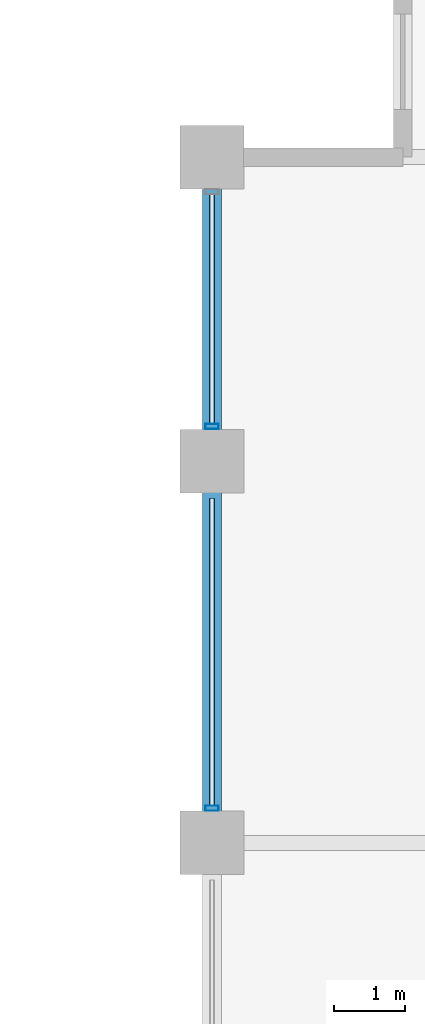
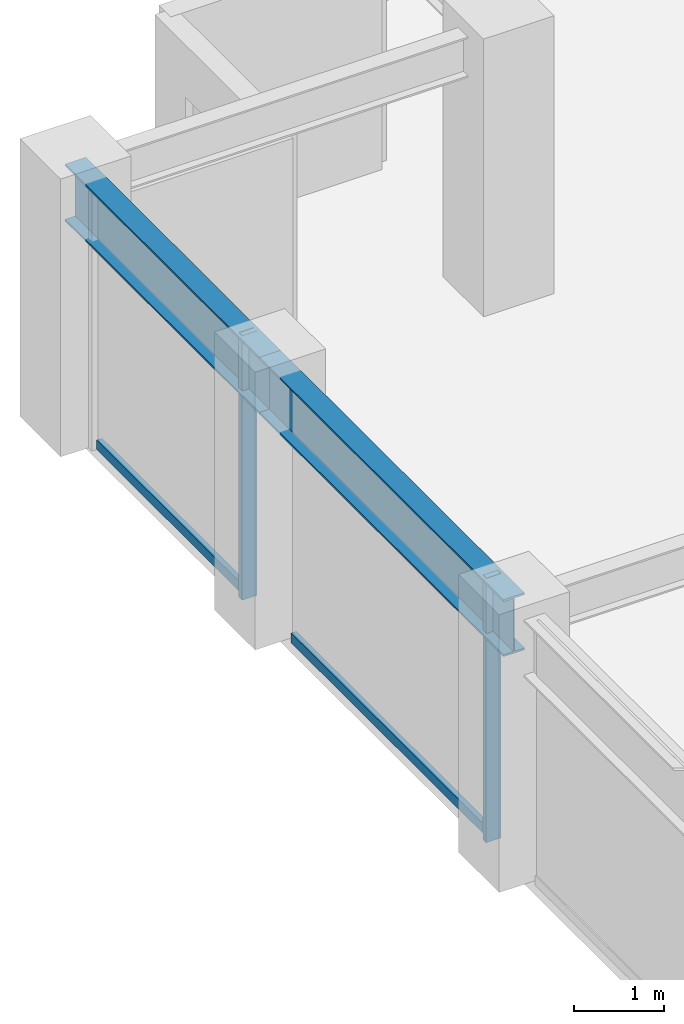
# One storey, part 13 of 28: 4 members, 2 beams, 1 element without a shape of its own.
"""IFC4 building model written with IfcOpenShell, lengths in metres."""

from ifc_helpers import new_model, si_unit, direction, frame, origin, origin_2d, place, context, subcontext, project, spatial, hollow_rectangle, i_section, extrude, material, layer, layer_set, material_profile, profile_set, type_object, element, aggregate, save


model = new_model("IFC4")

# Units and contexts
model_context = context("Model", 3, precision=1e-05, world=origin(), true_north=direction((0.0, 1.0)))
body_context = subcontext(model_context, "Body", "Model", "MODEL_VIEW")
ifc_project = project(units=[si_unit("LENGTHUNIT", "METRE"), si_unit("AREAUNIT", "SQUARE_METRE"), si_unit("VOLUMEUNIT", "CUBIC_METRE"), si_unit("PLANEANGLEUNIT", "RADIAN"), si_unit("MASSUNIT", "GRAM", prefix="KILO")], contexts=[model_context])

# Site, building, storey
site_placement = place(None, origin())
site = spatial("IfcSite", under=ifc_project, at=site_placement, CompositionType="ELEMENT")
building_placement = place(site_placement, origin())
building = spatial("IfcBuilding", under=site, at=building_placement, Name="Surkhivell Harbour Commons", CompositionType="ELEMENT")
storey_placement = place(building_placement, frame((0.0, 0.0, 178.5)))
storey = spatial("IfcBuildingStorey", under=building, at=storey_placement, Name="L46", CompositionType="ELEMENT", Elevation=178.5)

# Beams
ifc_material_1 = material(Name="Steel S355", Category="steel")
ifc_material_profile_1 = material_profile(ifc_material_1, i_section(OverallWidth=0.26806640625, OverallDepth=0.77001953125, WebThickness=0.015625, FlangeThickness=0.025390625, at=origin_2d()), Name="UB762x267x197")
ifc_profile_set_1 = profile_set([ifc_material_profile_1], Name="Steel S355")
beam_type = type_object("IfcBeamType", Name="BM-SPN-762", PredefinedType="SPANDREL", material=ifc_profile_set_1)
beam_1_placement = place(storey_placement, frame((-27.0, 10.800048828125, 3.18505859375), z_axis=(0.0, 1.0, 0.0), x_axis=(-1.0, 0.0, 0.0)))
element("IfcBeam", 1, at=beam_1_placement, inside=storey, type_object=beam_type, Name="L46 Tube Spandrel (-27.0,10.8)", PredefinedType="SPANDREL", context=body_context, shape_type="SweptSolid", body=[
    extrude(i_section(OverallWidth=0.26806640625, OverallDepth=0.77001953125, WebThickness=0.015625, FlangeThickness=0.025390625, at=origin_2d()), origin(), (0.0, 0.0, 1.0), 5.39990234375),
])
beam_2_placement = place(storey_placement, frame((-27.0, 16.199951171875, 3.18505859375), z_axis=(0.0, 1.0, 0.0), x_axis=(-1.0, 0.0, 0.0)))
element("IfcBeam", 2, at=beam_2_placement, inside=storey, type_object=beam_type, Name="L46 Tube Spandrel (-27.0,16.2)", PredefinedType="SPANDREL", context=body_context, shape_type="SweptSolid", body=[
    extrude(i_section(OverallWidth=0.26806640625, OverallDepth=0.77001953125, WebThickness=0.015625, FlangeThickness=0.025390625, at=origin_2d()), origin(), (0.0, 0.0, 1.0), 4.300048828125),
])

# Curtain wall, members
ifc_material_2 = material(Name="Anodised pale-metal aluminium and insulated glazing", Category="aluminium")
ifc_layer = layer(ifc_material_2, 0.18994140625)
ifc_layer_set = layer_set([ifc_layer], Name="Anodised pale-metal aluminium and insulated glazing")
curtain_wall_type = type_object("IfcCurtainWallType", Name="CW-SYS-Z3", PredefinedType="NOTDEFINED", material=ifc_layer_set)
curtain_wall_placement = place(storey_placement, origin())
curtain_wall = element("IfcCurtainWall", 3, at=curtain_wall_placement, inside=storey, type_object=curtain_wall_type, Name="L46 Curtain Wall CW-L46-E12R2", PredefinedType="NOTDEFINED")
ifc_material_3 = material(Name="Anodised pale-metal aluminium alloy 6063-T6", Category="aluminium")
ifc_material_profile_2 = material_profile(ifc_material_3, hollow_rectangle(XDim=0.074951171875, YDim=0.18994140625, WallThickness=0.00390625, at=origin_2d()), Name="ALU-MULL-75x190")
ifc_profile_set_2 = profile_set([ifc_material_profile_2], Name="Anodised pale-metal aluminium alloy 6063-T6")
member_type_1 = type_object("IfcMemberType", Name="CWM-190", PredefinedType="MULLION", material=ifc_profile_set_2)
member_1_placement = place(storey_placement, frame((-27.0, 11.28955078125, 0.0), z_axis=(0.0, 0.0, 1.0), x_axis=(0.0, 1.0, 0.0)))
member_1 = element("IfcMember", 4, at=member_1_placement, type_object=member_type_1, Name="CW-Z3 mullion 2", PredefinedType="MULLION", context=body_context, shape_type="SweptSolid", body=[
    extrude(hollow_rectangle(XDim=0.074951171875, YDim=0.18994140625, WallThickness=0.00390625, at=origin_2d()), origin(), (0.0, 0.0, 1.0), 3.570068359375),
])
member_2_placement = place(storey_placement, frame((-27.0, 16.689453125, 0.0), z_axis=(0.0, 0.0, 1.0), x_axis=(0.0, 1.0, 0.0)))
member_2 = element("IfcMember", 5, at=member_2_placement, type_object=member_type_1, Name="CW-Z3 mullion 3", PredefinedType="MULLION", context=body_context, shape_type="SweptSolid", body=[
    extrude(hollow_rectangle(XDim=0.074951171875, YDim=0.18994140625, WallThickness=0.00390625, at=origin_2d()), origin(), (0.0, 0.0, 1.0), 3.570068359375),
])
ifc_material_4 = material(Name="Champagne anodised aluminium alloy 6063-T6", Category="aluminium")
ifc_material_profile_3 = material_profile(ifc_material_4, hollow_rectangle(XDim=0.070068359375, YDim=0.1298828125, WallThickness=0.00341796875, at=origin_2d()), Name="ALU-TRAN-70x130")
ifc_profile_set_3 = profile_set([ifc_material_profile_3], Name="Champagne anodised aluminium alloy 6063-T6")
member_type_2 = type_object("IfcMemberType", Name="CWT-130", PredefinedType="USERDEFINED", material=ifc_profile_set_3)
member_3_placement = place(storey_placement, frame((-27.0, 11.326904296875, 0.06494140625), z_axis=(0.0, 1.0, 0.0), x_axis=(-1.0, 0.0, 0.0)))
member_3 = element("IfcMember", 6, at=member_3_placement, type_object=member_type_2, Name="CW-Z3 transom 2.1", ObjectType="TRANSOM", PredefinedType="USERDEFINED", context=body_context, shape_type="SweptSolid", body=[
    extrude(hollow_rectangle(XDim=0.070068359375, YDim=0.1298828125, WallThickness=0.00341796875, at=origin_2d()), origin(), (0.0, 0.0, 1.0), 4.34619140625),
])
member_4_placement = place(storey_placement, frame((-27.0, 16.72705078125, 0.06494140625), z_axis=(0.0, 1.0, 0.0), x_axis=(-1.0, 0.0, 0.0)))
member_4 = element("IfcMember", 7, at=member_4_placement, type_object=member_type_2, Name="CW-Z3 transom 3.1", ObjectType="TRANSOM", PredefinedType="USERDEFINED", context=body_context, shape_type="SweptSolid", body=[
    extrude(hollow_rectangle(XDim=0.070068359375, YDim=0.1298828125, WallThickness=0.00341796875, at=origin_2d()), origin(), (0.0, 0.0, 1.0), 3.245849609375),
])
aggregate(curtain_wall, [member_1, member_3, member_2, member_4])

save(model, "model.ifc")
